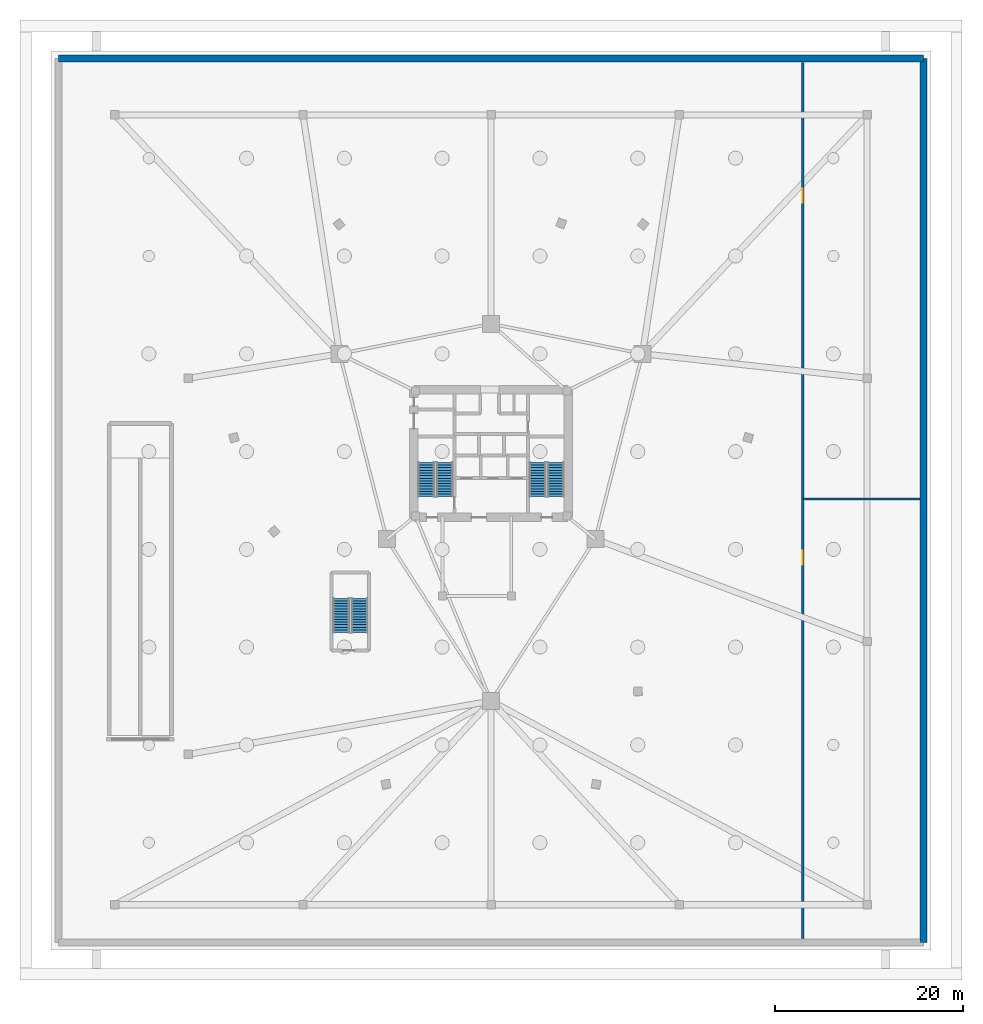
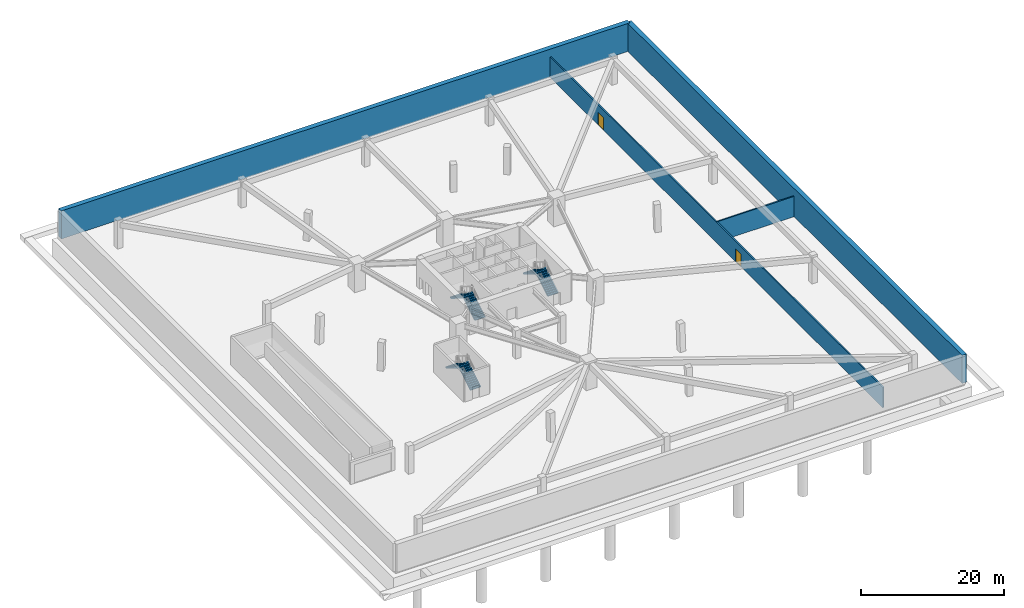
# One storey, part 4 of 5: 6 stair flights, 4 walls, 2 doors, 2 openings, 3 elements without a shape of their own.
"""IFC4 building model written with IfcOpenShell, lengths in metres."""

from ifc_helpers import new_model, si_unit, direction, frame, frame_2d, origin, place, context, subcontext, project, spatial, polyline, rectangle, outline, extrude, material, layer, layer_set, type_object, element, fill, aggregate, save


model = new_model("IFC4")

# Units and contexts
model_context = context("Model", 3, precision=1e-05, world=origin(), true_north=direction((0.0, 1.0)))
body_context = subcontext(model_context, "Body", "Model", "MODEL_VIEW")
ifc_project = project(units=[si_unit("LENGTHUNIT", "METRE"), si_unit("AREAUNIT", "SQUARE_METRE"), si_unit("VOLUMEUNIT", "CUBIC_METRE"), si_unit("PLANEANGLEUNIT", "RADIAN"), si_unit("MASSUNIT", "GRAM", prefix="KILO")], contexts=[model_context])

# Site, building, storey
site_placement = place(None, origin())
site = spatial("IfcSite", under=ifc_project, at=site_placement, CompositionType="ELEMENT")
building_placement = place(site_placement, origin())
building = spatial("IfcBuilding", under=site, at=building_placement, Name="Talyreon Biosciences Tower", CompositionType="ELEMENT")
storey_placement = place(building_placement, frame((0.0, 0.0, -9.60009765625)))
storey = spatial("IfcBuildingStorey", under=building, at=storey_placement, Name="B2", CompositionType="ELEMENT", Elevation=-9.60009765625)

# Walls
ifc_material_1 = material(Name="Concrete C50/60", Category="concrete")
ifc_layer_1 = layer(ifc_material_1, 0.75)
ifc_layer_set_1 = layer_set([ifc_layer_1], Name="Concrete C50/60")
wall_type_1 = type_object("IfcWallType", Name="BasementRetainingWall_750", PredefinedType="SOLIDWALL", material=ifc_layer_set_1)
wall_1_placement = place(storey_placement, frame((112.0, 16.0, 0.0), z_axis=(0.0, 0.0, 1.0), x_axis=(0.0, 1.0, 0.0)))
element("IfcWall", 1, at=wall_1_placement, inside=storey, type_object=wall_type_1, Name="B2 Watertight Retaining Wall E", PredefinedType="SOLIDWALL", context=body_context, shape_type="SweptSolid", body=[
    extrude(rectangle(XDim=94.0, YDim=0.75, at=frame_2d((47.0, 0.0))), origin(), (0.0, 0.0, 1.0), 4.800048828125),
])
wall_2_placement = place(storey_placement, frame((112.0, 110.0, 0.0), z_axis=(0.0, 0.0, 1.0), x_axis=(-1.0, 0.0, 0.0)))
element("IfcWall", 2, at=wall_2_placement, inside=storey, type_object=wall_type_1, Name="B2 Watertight Retaining Wall N", PredefinedType="SOLIDWALL", context=body_context, shape_type="SweptSolid", body=[
    extrude(rectangle(XDim=92.0, YDim=0.75, at=frame_2d((46.0, 0.0))), origin(), (0.0, 0.0, 1.0), 4.800048828125),
])

# Wall, openings, doors
ifc_material_2 = material(Name="Gypsum fireboard acoustic stud", Category="gypsum")
ifc_layer_2 = layer(ifc_material_2, 0.219970703125)
ifc_layer_set_2 = layer_set([ifc_layer_2], Name="Gypsum fireboard acoustic stud")
wall_type_2 = type_object("IfcWallType", Name="CorridorRatedPartition_220", PredefinedType="PARTITIONING", material=ifc_layer_set_2)
wall_3_placement = place(storey_placement, frame((99.14990234375, 16.39990234375, 0.0), z_axis=(0.0, 0.0, 1.0), x_axis=(0.0, 1.0, 0.0)))
wall_3 = element("IfcWall", 3, at=wall_3_placement, inside=storey, type_object=wall_type_2, Name="B2 Interior Wall IW-B2-EPLANT", PredefinedType="PARTITIONING", context=body_context, shape_type="SweptSolid", body=[
    extrude(rectangle(XDim=93.2001953125, YDim=0.219970703125, at=frame_2d((46.60009765625, 0.0))), origin(), (0.0, 0.0, 1.0), 3.47998046875),
])
opening_1_placement = place(wall_3_placement, frame((39.75, 0.0, 0.0)))
opening_1 = element("IfcOpeningElement", 4, at=opening_1_placement, cuts=wall_3, Name="Opening DR-B2-WT", PredefinedType="OPENING", context=body_context, shape_type="SweptSolid", body=[
    extrude(rectangle(XDim=1.5, YDim=2.199951171875, at=frame_2d((0.75, 1.10009765625))), frame((0.0, 0.119873046875, 0.0), z_axis=(0.0, -1.0, 0.0), x_axis=(1.0, 0.0, 0.0)), (0.0, 0.0, 1.0), 0.239990234375),
])
opening_2_placement = place(wall_3_placement, frame((78.25, 0.0, 0.0)))
opening_2 = element("IfcOpeningElement", 5, at=opening_2_placement, cuts=wall_3, Name="Opening DR-B2-PM", PredefinedType="OPENING", context=body_context, shape_type="SweptSolid", body=[
    extrude(rectangle(XDim=1.5, YDim=2.199951171875, at=frame_2d((0.75, 1.10009765625))), frame((0.0, 0.119873046875, 0.0), z_axis=(0.0, -1.0, 0.0), x_axis=(1.0, 0.0, 0.0)), (0.0, 0.0, 1.0), 0.239990234375),
])
ifc_material_3 = material(Name="Vision-panel steel laboratory fire door", Category="steel")
door_type = type_object("IfcDoorType", Name="WetLabDoubleLeafDoor_1500x2200", OperationType="DOUBLE_DOOR_SINGLE_SWING", PredefinedType="DOOR", material=ifc_material_3)
door_1_placement = place(opening_1_placement, origin())
door_1 = element("IfcDoor", 6, at=door_1_placement, inside=storey, type_object=door_type, Name="B2 Interior Door DR-B2-WT", OperationType="DOUBLE_DOOR_SINGLE_SWING", OverallHeight=2.199951171875, OverallWidth=1.5, PredefinedType="DOOR", context=body_context, shape_type="SweptSolid", body=[
    extrude(rectangle(XDim=1.5, YDim=2.199951171875, at=frame_2d((0.75, 1.10009765625))), frame((0.0, 0.02490234375, 0.0), z_axis=(0.0, -1.0, 0.0), x_axis=(1.0, 0.0, 0.0)), (0.0, 0.0, 1.0), 0.050048828125),
])
fill(opening_1, door_1)
door_2_placement = place(opening_2_placement, origin())
door_2 = element("IfcDoor", 7, at=door_2_placement, inside=storey, type_object=door_type, Name="B2 Interior Door DR-B2-PM", OperationType="DOUBLE_DOOR_SINGLE_SWING", OverallHeight=2.199951171875, OverallWidth=1.5, PredefinedType="DOOR", context=body_context, shape_type="SweptSolid", body=[
    extrude(rectangle(XDim=1.5, YDim=2.199951171875, at=frame_2d((0.75, 1.10009765625))), frame((0.0, 0.02490234375, 0.0), z_axis=(0.0, -1.0, 0.0), x_axis=(1.0, 0.0, 0.0)), (0.0, 0.0, 1.0), 0.050048828125),
])
fill(opening_2, door_2)

# Wall
wall_4_placement = place(storey_placement, frame((99.14990234375, 63.14990234375, 0.0), z_axis=(0.0, 0.0, 1.0), x_axis=(1.0, 0.0, 0.0)))
element("IfcWall", 8, at=wall_4_placement, inside=storey, type_object=wall_type_2, Name="B2 Interior Wall IW-B2-EDIV", PredefinedType="PARTITIONING", context=body_context, shape_type="SweptSolid", body=[
    extrude(rectangle(XDim=12.4501953125, YDim=0.219970703125, at=frame_2d((6.22509765625, 0.0))), origin(), (0.0, 0.0, 1.0), 3.47998046875),
])

# Stair, stair flights
ifc_material_4 = material(Name="Concrete C40/50", Category="concrete")
stair_type = type_object("IfcStairType", Name="DoglegEscapeStair_4800", PredefinedType="HALF_TURN_STAIR", material=ifc_material_4)
stair_1_placement = place(storey_placement, origin())
stair_1 = element("IfcStair", 9, at=stair_1_placement, inside=storey, type_object=stair_type, Name="B2 Core Escape Stair 1", PredefinedType="HALF_TURN_STAIR")
stair_flight_type = type_object("IfcStairFlightType", Name="PrecastStairFlight_4800", PredefinedType="STRAIGHT", material=ifc_material_4)
stair_flight_1_placement = place(storey_placement, frame((61.06005859375, 63.39990234375, 0.0), z_axis=(0.0, 0.0, 1.0), x_axis=(0.0, 1.0, 0.0)))
stair_flight_1 = element("IfcStairFlight", 10, at=stair_flight_1_placement, type_object=stair_flight_type, Name="ST-1 flight 1", NumberOfRisers=14, NumberOfTreads=13, PredefinedType="STRAIGHT", RiserHeight=0.171428571, TreadLength=0.28, context=body_context, shape_type="SweptSolid", body=[
    extrude(outline(polyline([(0.0, 0.0), (0.0, 0.17138671875), (0.280029296875, 0.17138671875), (0.280029296875, 0.3427734375), (0.56005859375, 0.3427734375), (0.56005859375, 0.514404296875), (0.840087890625, 0.514404296875), (0.840087890625, 0.685791015625), (1.1201171875, 0.685791015625), (1.1201171875, 0.857177734375), (1.39990234375, 0.857177734375), (1.39990234375, 1.028564453125), (1.679931640625, 1.028564453125), (1.679931640625, 1.199951171875), (1.9599609375, 1.199951171875), (1.9599609375, 1.371337890625), (2.239990234375, 1.371337890625), (2.239990234375, 1.54296875), (2.52001953125, 1.54296875), (2.52001953125, 1.71435546875), (2.800048828125, 1.71435546875), (2.800048828125, 1.8857421875), (3.080078125, 1.8857421875), (3.080078125, 2.05712890625), (3.360107421875, 2.05712890625), (3.360107421875, 2.228515625), (3.639892578125, 2.228515625), (3.639892578125, 2.39990234375), (3.639892578125, 2.052734375), (0.287109375, 0.0), (0.0, 0.0)])), frame((0.0, 0.8701171875, 0.0), z_axis=(0.0, -1.0, 0.0), x_axis=(1.0, 0.0, 0.0)), (0.0, 0.0, 1.0), 1.739990234375),
])
stair_flight_2_placement = place(storey_placement, frame((59.1201171875, 67.0400390625, 2.400146484375), z_axis=(0.0, 0.0, 1.0), x_axis=(0.0, -1.0, 0.0)))
stair_flight_2 = element("IfcStairFlight", 11, at=stair_flight_2_placement, type_object=stair_flight_type, Name="ST-1 flight 2", NumberOfRisers=14, NumberOfTreads=13, PredefinedType="STRAIGHT", RiserHeight=0.171428571, TreadLength=0.28, context=body_context, shape_type="SweptSolid", body=[
    extrude(outline(polyline([(0.0, 0.0), (0.0, 0.17138671875), (0.280029296875, 0.17138671875), (0.280029296875, 0.3427734375), (0.56005859375, 0.3427734375), (0.56005859375, 0.514404296875), (0.840087890625, 0.514404296875), (0.840087890625, 0.685791015625), (1.1201171875, 0.685791015625), (1.1201171875, 0.857177734375), (1.39990234375, 0.857177734375), (1.39990234375, 1.028564453125), (1.679931640625, 1.028564453125), (1.679931640625, 1.199951171875), (1.9599609375, 1.199951171875), (1.9599609375, 1.371337890625), (2.239990234375, 1.371337890625), (2.239990234375, 1.54296875), (2.52001953125, 1.54296875), (2.52001953125, 1.71435546875), (2.800048828125, 1.71435546875), (2.800048828125, 1.8857421875), (3.080078125, 1.8857421875), (3.080078125, 2.05712890625), (3.360107421875, 2.05712890625), (3.360107421875, 2.228515625), (3.639892578125, 2.228515625), (3.639892578125, 2.39990234375), (3.639892578125, 2.052734375), (0.287109375, 0.0), (0.0, 0.0)])), frame((0.0, 0.8701171875, 0.0), z_axis=(0.0, -1.0, 0.0), x_axis=(1.0, 0.0, 0.0)), (0.0, 0.0, 1.0), 1.739990234375),
])
aggregate(stair_1, [stair_flight_1, stair_flight_2])

stair_2_placement = place(storey_placement, origin())
stair_2 = element("IfcStair", 12, at=stair_2_placement, inside=storey, type_object=stair_type, Name="B2 Core Escape Stair 2", PredefinedType="HALF_TURN_STAIR")
stair_flight_3_placement = place(storey_placement, frame((72.8798828125, 63.39990234375, 0.0), z_axis=(0.0, 0.0, 1.0), x_axis=(0.0, 1.0, 0.0)))
stair_flight_3 = element("IfcStairFlight", 13, at=stair_flight_3_placement, type_object=stair_flight_type, Name="ST-2 flight 1", NumberOfRisers=14, NumberOfTreads=13, PredefinedType="STRAIGHT", RiserHeight=0.171428571, TreadLength=0.28, context=body_context, shape_type="SweptSolid", body=[
    extrude(outline(polyline([(0.0, 0.0), (0.0, 0.17138671875), (0.280029296875, 0.17138671875), (0.280029296875, 0.3427734375), (0.56005859375, 0.3427734375), (0.56005859375, 0.514404296875), (0.840087890625, 0.514404296875), (0.840087890625, 0.685791015625), (1.1201171875, 0.685791015625), (1.1201171875, 0.857177734375), (1.39990234375, 0.857177734375), (1.39990234375, 1.028564453125), (1.679931640625, 1.028564453125), (1.679931640625, 1.199951171875), (1.9599609375, 1.199951171875), (1.9599609375, 1.371337890625), (2.239990234375, 1.371337890625), (2.239990234375, 1.54296875), (2.52001953125, 1.54296875), (2.52001953125, 1.71435546875), (2.800048828125, 1.71435546875), (2.800048828125, 1.8857421875), (3.080078125, 1.8857421875), (3.080078125, 2.05712890625), (3.360107421875, 2.05712890625), (3.360107421875, 2.228515625), (3.639892578125, 2.228515625), (3.639892578125, 2.39990234375), (3.639892578125, 2.052734375), (0.287109375, 0.0), (0.0, 0.0)])), frame((0.0, 0.8701171875, 0.0), z_axis=(0.0, -1.0, 0.0), x_axis=(1.0, 0.0, 0.0)), (0.0, 0.0, 1.0), 1.739990234375),
])
stair_flight_4_placement = place(storey_placement, frame((70.93994140625, 67.0400390625, 2.400146484375), z_axis=(0.0, 0.0, 1.0), x_axis=(0.0, -1.0, 0.0)))
stair_flight_4 = element("IfcStairFlight", 14, at=stair_flight_4_placement, type_object=stair_flight_type, Name="ST-2 flight 2", NumberOfRisers=14, NumberOfTreads=13, PredefinedType="STRAIGHT", RiserHeight=0.171428571, TreadLength=0.28, context=body_context, shape_type="SweptSolid", body=[
    extrude(outline(polyline([(0.0, 0.0), (0.0, 0.17138671875), (0.280029296875, 0.17138671875), (0.280029296875, 0.3427734375), (0.56005859375, 0.3427734375), (0.56005859375, 0.514404296875), (0.840087890625, 0.514404296875), (0.840087890625, 0.685791015625), (1.1201171875, 0.685791015625), (1.1201171875, 0.857177734375), (1.39990234375, 0.857177734375), (1.39990234375, 1.028564453125), (1.679931640625, 1.028564453125), (1.679931640625, 1.199951171875), (1.9599609375, 1.199951171875), (1.9599609375, 1.371337890625), (2.239990234375, 1.371337890625), (2.239990234375, 1.54296875), (2.52001953125, 1.54296875), (2.52001953125, 1.71435546875), (2.800048828125, 1.71435546875), (2.800048828125, 1.8857421875), (3.080078125, 1.8857421875), (3.080078125, 2.05712890625), (3.360107421875, 2.05712890625), (3.360107421875, 2.228515625), (3.639892578125, 2.228515625), (3.639892578125, 2.39990234375), (3.639892578125, 2.052734375), (0.287109375, 0.0), (0.0, 0.0)])), frame((0.0, 0.8701171875, 0.0), z_axis=(0.0, -1.0, 0.0), x_axis=(1.0, 0.0, 0.0)), (0.0, 0.0, 1.0), 1.739990234375),
])
aggregate(stair_2, [stair_flight_3, stair_flight_4])

stair_3_placement = place(storey_placement, origin())
stair_3 = element("IfcStair", 15, at=stair_3_placement, inside=storey, type_object=stair_type, Name="B2 Podium Escape Stair 3", PredefinedType="HALF_TURN_STAIR")
stair_flight_5_placement = place(storey_placement, frame((52.010009765625, 48.949951171875, 0.0), z_axis=(0.0, 0.0, 1.0), x_axis=(0.0, 1.0, 0.0)))
stair_flight_5 = element("IfcStairFlight", 16, at=stair_flight_5_placement, type_object=stair_flight_type, Name="ST-3 flight 1", NumberOfRisers=14, NumberOfTreads=13, PredefinedType="STRAIGHT", RiserHeight=0.171428571, TreadLength=0.28, context=body_context, shape_type="SweptSolid", body=[
    extrude(outline(polyline([(0.0, 0.0), (0.0, 0.17138671875), (0.280029296875, 0.17138671875), (0.280029296875, 0.3427734375), (0.56005859375, 0.3427734375), (0.56005859375, 0.514404296875), (0.840087890625, 0.514404296875), (0.840087890625, 0.685791015625), (1.1201171875, 0.685791015625), (1.1201171875, 0.857177734375), (1.39990234375, 0.857177734375), (1.39990234375, 1.028564453125), (1.679931640625, 1.028564453125), (1.679931640625, 1.199951171875), (1.9599609375, 1.199951171875), (1.9599609375, 1.371337890625), (2.239990234375, 1.371337890625), (2.239990234375, 1.54296875), (2.52001953125, 1.54296875), (2.52001953125, 1.71435546875), (2.800048828125, 1.71435546875), (2.800048828125, 1.8857421875), (3.080078125, 1.8857421875), (3.080078125, 2.05712890625), (3.360107421875, 2.05712890625), (3.360107421875, 2.228515625), (3.639892578125, 2.228515625), (3.639892578125, 2.39990234375), (3.639892578125, 2.052734375), (0.287109375, 0.0), (0.0, 0.0)])), frame((0.0, 0.8701171875, 0.0), z_axis=(0.0, -1.0, 0.0), x_axis=(1.0, 0.0, 0.0)), (0.0, 0.0, 1.0), 1.739990234375),
])
stair_flight_6_placement = place(storey_placement, frame((50.070068359375, 52.590087890625, 2.400146484375), z_axis=(0.0, 0.0, 1.0), x_axis=(0.0, -1.0, 0.0)))
stair_flight_6 = element("IfcStairFlight", 17, at=stair_flight_6_placement, type_object=stair_flight_type, Name="ST-3 flight 2", NumberOfRisers=14, NumberOfTreads=13, PredefinedType="STRAIGHT", RiserHeight=0.171428571, TreadLength=0.28, context=body_context, shape_type="SweptSolid", body=[
    extrude(outline(polyline([(0.0, 0.0), (0.0, 0.17138671875), (0.280029296875, 0.17138671875), (0.280029296875, 0.3427734375), (0.56005859375, 0.3427734375), (0.56005859375, 0.514404296875), (0.840087890625, 0.514404296875), (0.840087890625, 0.685791015625), (1.1201171875, 0.685791015625), (1.1201171875, 0.857177734375), (1.39990234375, 0.857177734375), (1.39990234375, 1.028564453125), (1.679931640625, 1.028564453125), (1.679931640625, 1.199951171875), (1.9599609375, 1.199951171875), (1.9599609375, 1.371337890625), (2.239990234375, 1.371337890625), (2.239990234375, 1.54296875), (2.52001953125, 1.54296875), (2.52001953125, 1.71435546875), (2.800048828125, 1.71435546875), (2.800048828125, 1.8857421875), (3.080078125, 1.8857421875), (3.080078125, 2.05712890625), (3.360107421875, 2.05712890625), (3.360107421875, 2.228515625), (3.639892578125, 2.228515625), (3.639892578125, 2.39990234375), (3.639892578125, 2.052734375), (0.287109375, 0.0), (0.0, 0.0)])), frame((0.0, 0.8701171875, 0.0), z_axis=(0.0, -1.0, 0.0), x_axis=(1.0, 0.0, 0.0)), (0.0, 0.0, 1.0), 1.739990234375),
])
aggregate(stair_3, [stair_flight_5, stair_flight_6])

save(model, "model.ifc")
